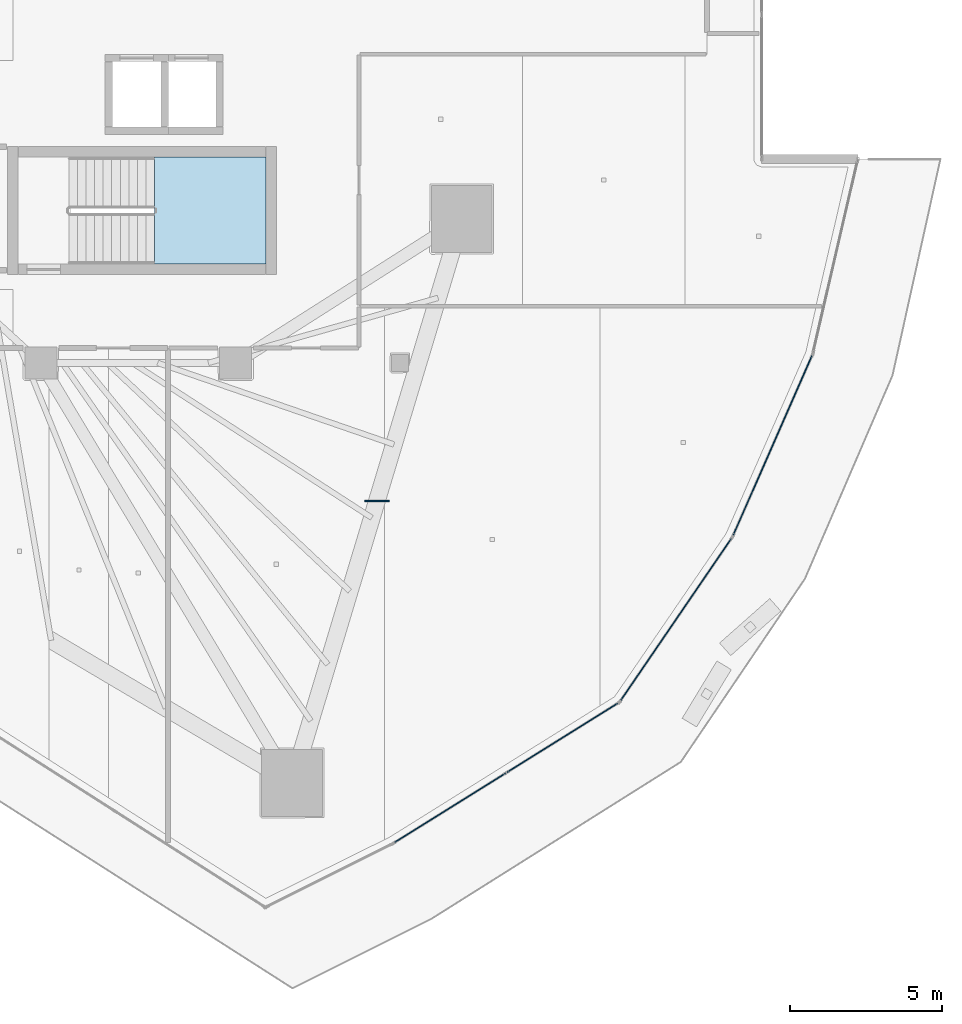
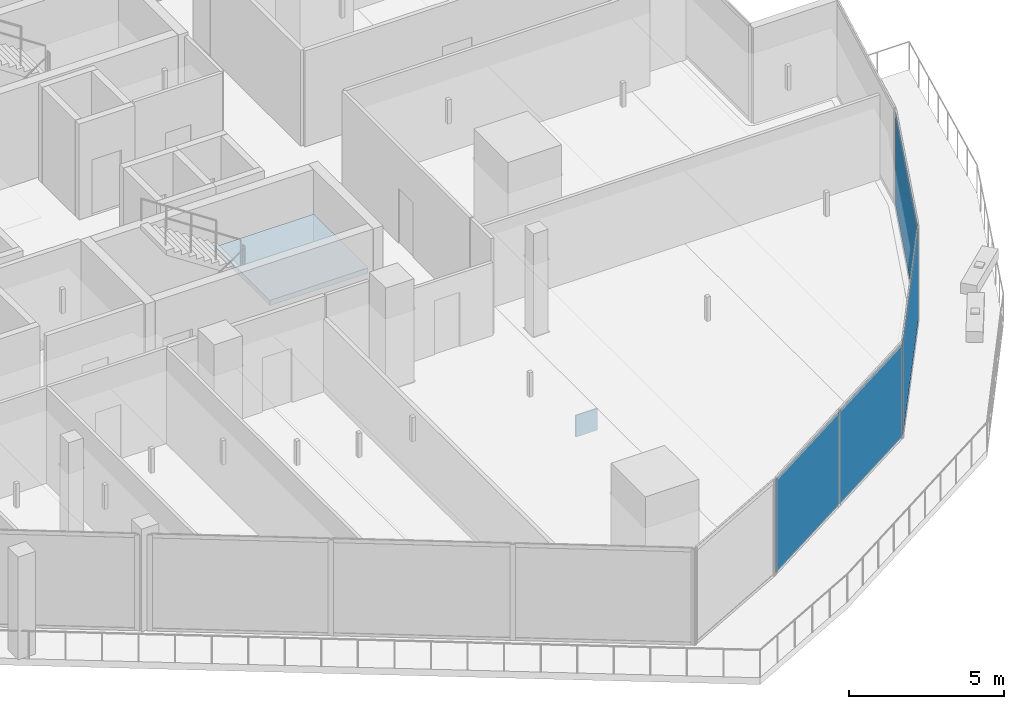
# One storey, part 24 of 39: 5 plates, 1 slab, 4 elements without a shape of their own.
"""IFC4 building model written with IfcOpenShell, lengths in metres."""

from ifc_helpers import new_model, si_unit, direction, frame, origin, origin_2d, place, context, subcontext, project, spatial, polyline, rectangle, outline, extrude, material, layer, layer_set, type_object, element, aggregate, save


model = new_model("IFC4")

# Units and contexts
model_context = context("Model", 3, precision=1e-05, world=origin(), true_north=direction((0.0, 1.0)))
body_context = subcontext(model_context, "Body", "Model", "MODEL_VIEW")
ifc_project = project(units=[si_unit("LENGTHUNIT", "METRE"), si_unit("AREAUNIT", "SQUARE_METRE"), si_unit("VOLUMEUNIT", "CUBIC_METRE"), si_unit("PLANEANGLEUNIT", "RADIAN"), si_unit("MASSUNIT", "GRAM", prefix="KILO")], contexts=[model_context])

# Site, building, storey
site_placement = place(None, origin())
site = spatial("IfcSite", under=ifc_project, at=site_placement, CompositionType="ELEMENT")
building_placement = place(site_placement, origin())
building = spatial("IfcBuilding", under=site, at=building_placement, Name="Qorvath Tower", CompositionType="ELEMENT")
storey_placement = place(building_placement, frame((0.0, 0.0, 162.449951171875)))
storey = spatial("IfcBuildingStorey", under=building, at=storey_placement, Name="L37", CompositionType="ELEMENT", Elevation=162.449951171875)

# Curtain wall, plates
ifc_material_1 = material(Name="Anodised aluminium and triple low-E glass", Category="aluminium")
ifc_layer_1 = layer(ifc_material_1, 0.179931640625)
ifc_layer_set_1 = layer_set([ifc_layer_1], Name="CW-SYS-3")
curtain_wall_type = type_object("IfcCurtainWallType", Name="CW-SYS-3", PredefinedType="NOTDEFINED", material=ifc_layer_set_1)
curtain_wall_1_placement = place(storey_placement, origin())
curtain_wall_1 = element("IfcCurtainWall", 1, at=curtain_wall_1_placement, inside=storey, type_object=curtain_wall_type, Name="Curtain Wall CW-3 CW-T-L37-4.1", PredefinedType="NOTDEFINED")
ifc_material_2 = material(Name="Low-E triple insulated glass", Category="glass")
ifc_layer_2 = layer(ifc_material_2, 0.031982421875)
ifc_layer_set_2 = layer_set([ifc_layer_2], Name="CWP-GLZ-32")
plate_type_1 = type_object("IfcPlateType", Name="CWP-GLZ-32", PredefinedType="CURTAIN_PANEL", material=ifc_layer_set_2)
plate_1_placement = place(storey_placement, frame((-10.156005859375, -26.069580078125, 0.065185546875), z_axis=(0.0, 0.0, 1.0), x_axis=(0.848382203803, 0.52938420478, 0.0)))
plate_1 = element("IfcPlate", 2, at=plate_1_placement, type_object=plate_type_1, Name="CW-3 panel 1.1", PredefinedType="CURTAIN_PANEL", context=body_context, shape_type="SweptSolid", body=[
    extrude(rectangle(XDim=4.2900390625, YDim=0.031982421875, at=origin_2d()), origin(), (0.0, 0.0, 1.0), 3.64990234375),
])
plate_2_placement = place(storey_placement, frame((-6.461181640625, -23.763916015625, 0.065185546875), z_axis=(0.0, 0.0, 1.0), x_axis=(0.848382203803, 0.52938420478, 0.0)))
plate_2 = element("IfcPlate", 3, at=plate_2_placement, type_object=plate_type_1, Name="CW-3 panel 2.1", PredefinedType="CURTAIN_PANEL", context=body_context, shape_type="SweptSolid", body=[
    extrude(rectangle(XDim=4.2900390625, YDim=0.031982421875, at=origin_2d()), origin(), (0.0, 0.0, 1.0), 3.64990234375),
])
aggregate(curtain_wall_1, [plate_1, plate_2])

# Curtain wall, plate
curtain_wall_2_placement = place(storey_placement, origin())
curtain_wall_2 = element("IfcCurtainWall", 4, at=curtain_wall_2_placement, inside=storey, type_object=curtain_wall_type, Name="Curtain Wall CW-3 CW-T-L37-5.1", PredefinedType="NOTDEFINED")
plate_3_placement = place(storey_placement, frame((-2.732421875, -19.8818359375, 0.065185546875), z_axis=(0.0, 0.0, 1.0), x_axis=(0.564314480802, 0.825559911065, 0.0)))
plate_3 = element("IfcPlate", 5, at=plate_3_placement, type_object=plate_type_1, Name="CW-3 panel 1.1", PredefinedType="CURTAIN_PANEL", context=body_context, shape_type="SweptSolid", body=[
    extrude(rectangle(XDim=6.4404296875, YDim=0.031982421875, at=origin_2d()), origin(), (0.0, 0.0, 1.0), 3.64990234375),
])
aggregate(curtain_wall_2, [plate_3])

curtain_wall_3_placement = place(storey_placement, origin())
curtain_wall_3 = element("IfcCurtainWall", 6, at=curtain_wall_3_placement, inside=storey, type_object=curtain_wall_type, Name="Curtain Wall CW-3 CW-T-L37-6.1", PredefinedType="NOTDEFINED")
plate_4_placement = place(storey_placement, frame((0.442138671875, -14.161376953125, 0.065185546875), z_axis=(0.0, 0.0, 1.0), x_axis=(0.401947425802, 0.915662747354, 0.0)))
plate_4 = element("IfcPlate", 7, at=plate_4_placement, type_object=plate_type_1, Name="CW-3 panel 1.1", PredefinedType="CURTAIN_PANEL", context=body_context, shape_type="SweptSolid", body=[
    extrude(rectangle(XDim=6.440673828125, YDim=0.031982421875, at=origin_2d()), origin(), (0.0, 0.0, 1.0), 3.64990234375),
])
aggregate(curtain_wall_3, [plate_4])

# Plate
ifc_material_3 = material(Name="Steel ASTM A572 Grade 50", Category="steel")
ifc_layer_3 = layer(ifc_material_3, 0.054931640625)
ifc_layer_set_3 = layer_set([ifc_layer_3], Name="PL-MBN1")
plate_type_2 = type_object("IfcPlateType", Name="PL-MBN1", PredefinedType="USERDEFINED", material=ifc_layer_set_3)
plate_5_placement = place(storey_placement, frame((-12.55712890625, -15.983642578125, -1.045166015625), z_axis=(0.0, 0.0, 1.0), x_axis=(1.0, 0.0, 0.0)))
element("IfcPlate", 8, at=plate_5_placement, inside=storey, type_object=plate_type_2, Name="Brace Strut End Gusset Plate NDBG-143", ObjectType="GUSSET", PredefinedType="USERDEFINED", context=body_context, shape_type="SweptSolid", body=[
    extrude(rectangle(XDim=0.800048828125, YDim=0.054931640625, at=origin_2d()), origin(), (0.0, 0.0, 1.0), 0.85009765625),
])

# Stair, slab
ifc_material_4 = material(Name="Concrete C50/60", Category="concrete")
stair_type = type_object("IfcStairType", Name="ST-H405", PredefinedType="HALF_TURN_STAIR", material=ifc_material_4)
stair_placement = place(storey_placement, origin())
stair = element("IfcStair", 9, at=stair_placement, inside=storey, type_object=stair_type, Name="L37 Tower Exit Stair 2", PredefinedType="HALF_TURN_STAIR")
ifc_material_5 = material(Name="Concrete C50/60", Category="concrete")
ifc_layer_4 = layer(ifc_material_5, 0.199951171875)
ifc_layer_set_4 = layer_set([ifc_layer_4], Name="SL-LND-200")
slab_type = type_object("IfcSlabType", Name="SL-LND-200", PredefinedType="LANDING", material=ifc_layer_set_4)
slab_placement = place(storey_placement, frame((0.0, 0.0, 1.824951171875)))
slab = element("IfcSlab", 10, at=slab_placement, type_object=slab_type, Name="TS2 landing 1", PredefinedType="LANDING", context=body_context, shape_type="SweptSolid", body=[
    extrude(outline(polyline([(-19.8701171875, -8.199951171875), (-16.199951171875, -8.199951171875), (-16.199951171875, -4.68994140625), (-19.8701171875, -4.68994140625), (-19.8701171875, -8.199951171875)])), origin(), (0.0, 0.0, 1.0), 0.2001953125),
])
aggregate(stair, [slab])

save(model, "model.ifc")
